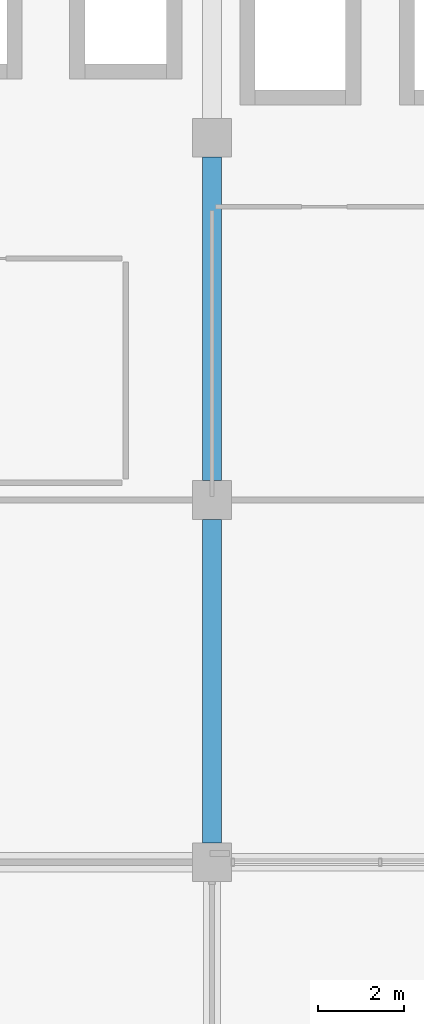
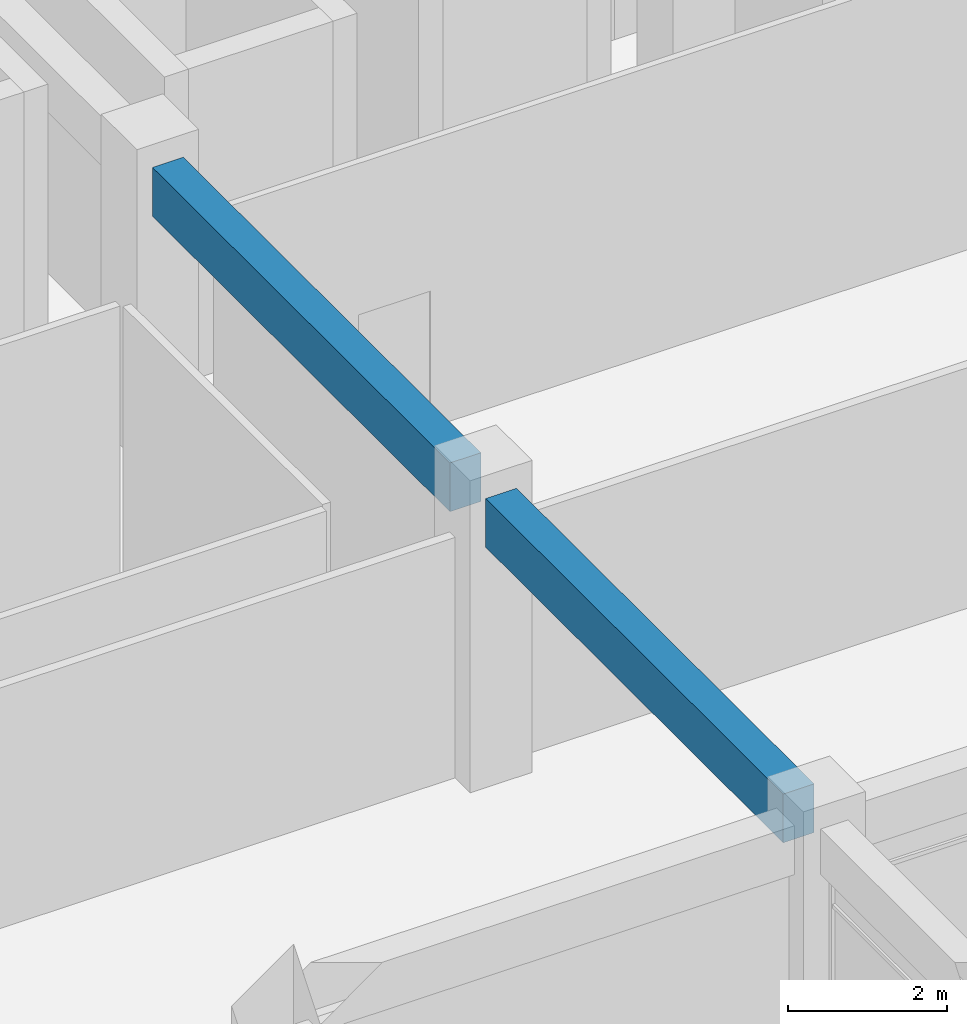
# One storey, part 30 of 74: 2 beams.
"""IFC4 building model written with IfcOpenShell, lengths in metres."""

from ifc_helpers import new_model, si_unit, direction, frame, origin, origin_2d, place, context, subcontext, project, spatial, rectangle, extrude, material, material_profile, profile_set, type_object, element, save


model = new_model("IFC4")

# Units and contexts
model_context = context("Model", 3, precision=1e-05, world=origin(), true_north=direction((0.0, 1.0)))
body_context = subcontext(model_context, "Body", "Model", "MODEL_VIEW")
ifc_project = project(units=[si_unit("LENGTHUNIT", "METRE"), si_unit("AREAUNIT", "SQUARE_METRE"), si_unit("VOLUMEUNIT", "CUBIC_METRE"), si_unit("PLANEANGLEUNIT", "RADIAN"), si_unit("MASSUNIT", "GRAM", prefix="KILO"), si_unit("THERMODYNAMICTEMPERATUREUNIT", "KELVIN"), si_unit("POWERUNIT", "WATT")], contexts=[model_context])

# Site, building, storey
site_placement = place(None, origin())
site = spatial("IfcSite", under=ifc_project, at=site_placement, CompositionType="ELEMENT")
building_placement = place(site_placement, origin())
building = spatial("IfcBuilding", under=site, at=building_placement, Name="Srebrne Nadtorze General Hospital", CompositionType="ELEMENT")
storey_placement = place(building_placement, origin())
storey = spatial("IfcBuildingStorey", under=building, at=storey_placement, Name="L00", CompositionType="ELEMENT", Elevation=0.0)

# Beams
ifc_material = material(Name="Concrete C40/50", Category="concrete")
ifc_material_profile = material_profile(ifc_material, rectangle(XDim=0.449951171875, YDim=0.75, at=origin_2d()), Name="RC-BM-450x750")
ifc_profile_set = profile_set([ifc_material_profile], Name="Concrete C40/50")
beam_type = type_object("IfcBeamType", Name="Primary beam RC 450x750", PredefinedType="BEAM", material=ifc_profile_set)
for number, where, z_axis, x_axis, name in (
    (1, (117.0, 25.64990234375, 4.074951171875), (0.0, 1.0, 0.0), (-1.0, 0.0, 0.0), "Beam BM-L00-Y-0330"),
    (2, (117.0, 34.050048828125, 4.074951171875), (0.0, 1.0, 0.0), (-1.0, 0.0, 0.0), "Beam BM-L00-Y-0331"),
):
    element("IfcBeam", number, at=place(storey_placement, frame(where, z_axis=z_axis, x_axis=x_axis)), inside=storey, type_object=beam_type, Name=name, PredefinedType="BEAM", context=body_context, shape_type="SweptSolid", body=[
        extrude(rectangle(XDim=0.449951171875, YDim=0.75, at=origin_2d()), origin(), (0.0, 0.0, 1.0), 7.5),
    ])

save(model, "model.ifc")
